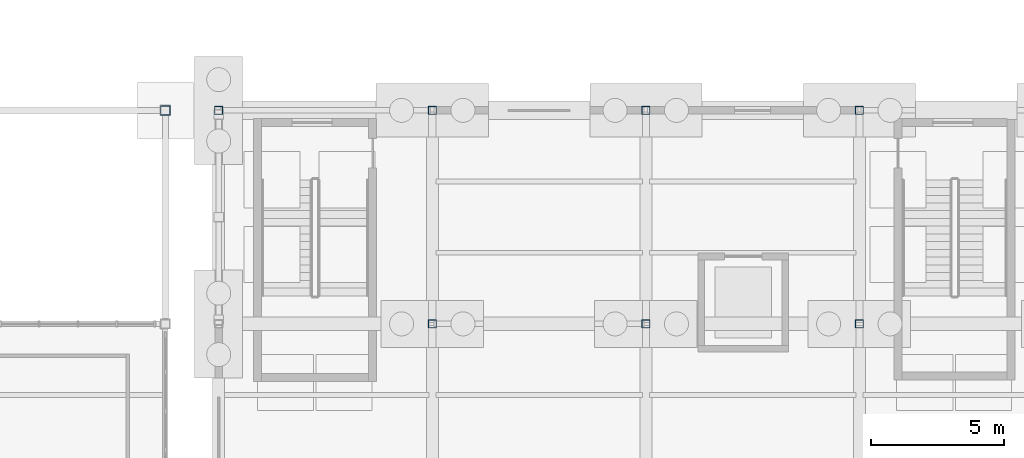
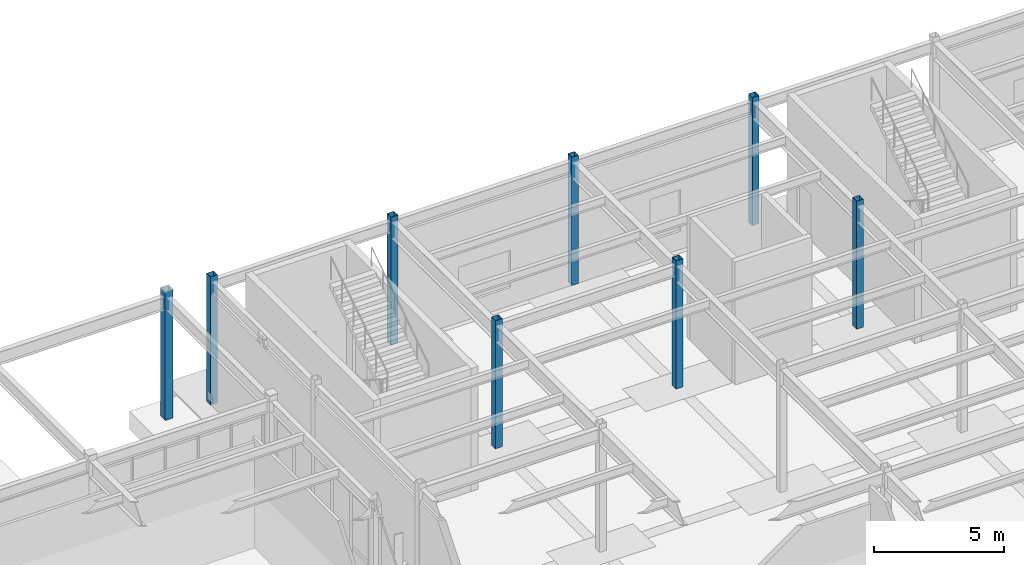
# One storey, part 20 of 82: 8 columns.
"""IFC4 building model written with IfcOpenShell, lengths in metres."""

import ifcopenshell
import ifcopenshell.guid

model = None  # the IFC model being written
_history = None  # IfcOwnerHistory: only IFC2X3 demands one
_inside = {}  # id of a spatial element -> (the spatial element, [elements in it])
_under = {}  # id of a project, library or spatial element -> (it, [spatial elements below it])
_declared = {}  # id of a project -> (the project, [libraries it declares])
_typed = {}  # id of a type object -> (the type object, [elements of that type])
_made_of = {}  # id of a material, layer set ... -> (it, [elements and type objects made of it])


def new_model(schema):
    """Start an empty IFC model of exactly this schema.

    Asked for "IFC4X3", IfcOpenShell would pick the latest addendum, in which some entities
    have other attributes; the version numbers below select the first issue.
    IFC2X3 requires an IfcOwnerHistory on every rooted entity: one is made here for all.
    """
    global model, _history
    if schema == "IFC4X3":
        model = ifcopenshell.file(schema_version=(4, 3, 0, 0))
    else:
        model = ifcopenshell.file(schema=schema)
    _inside.clear()
    _under.clear()
    _declared.clear()
    _typed.clear()
    _made_of.clear()
    _history = None
    if model.schema == "IFC2X3":
        org = make("IfcOrganization", Name="unknown")
        user = make(
            "IfcPersonAndOrganization",
            ThePerson=make("IfcPerson", FamilyName="unknown"),
            TheOrganization=org,
        )
        app = make(
            "IfcApplication",
            ApplicationDeveloper=org,
            Version="unknown",
            ApplicationFullName="unknown",
            ApplicationIdentifier="unknown",
        )
        _history = make(
            "IfcOwnerHistory",
            OwningUser=user,
            OwningApplication=app,
            ChangeAction="ADDED",
            CreationDate=0,
        )
    return model


def make(cls, **values):
    """One entity of the class cls with the attributes given. An attribute that is None is left unset."""
    return model.create_entity(
        cls, **{name: value for name, value in values.items() if value is not None}
    )


def rooted(cls, **values):
    """An entity with a GlobalId (a new one), such as an element, a storey or a relation."""
    return make(cls, GlobalId=ifcopenshell.guid.new(), OwnerHistory=_history, **values)


def si_unit(unit_type, name, prefix=None):
    """IfcSIUnit, for example si_unit("LENGTHUNIT", "METRE", prefix="MILLI")."""
    return make("IfcSIUnit", UnitType=unit_type, Prefix=prefix, Name=name)


def assignment(units):
    """IfcUnitAssignment: the units of a project."""
    return None if units is None else make("IfcUnitAssignment", Units=units)


def point(xyz):
    """IfcCartesianPoint."""
    return None if xyz is None else make("IfcCartesianPoint", Coordinates=xyz)


def direction(xyz):
    """IfcDirection."""
    return None if xyz is None else make("IfcDirection", DirectionRatios=xyz)


def frame(location, z_axis=None, x_axis=None):
    """IfcAxis2Placement3D, a coordinate frame: its origin and axes. An axis left out is left unset."""
    return make(
        "IfcAxis2Placement3D",
        Location=point(location),
        Axis=direction(z_axis),
        RefDirection=direction(x_axis),
    )


def frame_2d(location, x_axis=None):
    """IfcAxis2Placement2D, a coordinate frame in the plane: its origin and x axis."""
    return make(
        "IfcAxis2Placement2D", Location=point(location), RefDirection=direction(x_axis)
    )


def origin():
    """The frame at (0, 0, 0) with its axes left unset."""
    return frame((0.0, 0.0, 0.0))


def origin_2d():
    """The frame at (0, 0) in the plane with its x axis left unset."""
    return frame_2d((0.0, 0.0))


def place(relative_to, where):
    """IfcLocalPlacement: puts the frame where relative to a parent placement (None: the world)."""
    return make(
        "IfcLocalPlacement", PlacementRelTo=relative_to, RelativePlacement=where
    )


def context(
    kind, dimensions, precision=None, world=None, true_north=None, identifier=None
):
    """IfcGeometricRepresentationContext, for example the 3D "Model" context."""
    return make(
        "IfcGeometricRepresentationContext",
        ContextIdentifier=identifier,
        ContextType=kind,
        CoordinateSpaceDimension=dimensions,
        Precision=precision,
        WorldCoordinateSystem=world,
        TrueNorth=true_north,
    )


def subcontext(parent, identifier, kind, view, scale=None):
    """IfcGeometricRepresentationSubContext, for example "Body" below "Model"."""
    return make(
        "IfcGeometricRepresentationSubContext",
        ContextIdentifier=identifier,
        ContextType=kind,
        ParentContext=parent,
        TargetScale=scale,
        TargetView=view,
    )


def project(units=None, contexts=None):
    """IfcProject with its units and contexts."""
    return rooted(
        "IfcProject",
        Name="project",
        RepresentationContexts=contexts,
        UnitsInContext=assignment(units),
    )


def spatial(cls, under=None, at=None, **own):
    """A site, building, storey or space (cls), placed at a placement, below another one or the project."""
    s = rooted(cls, ObjectPlacement=at, **own)
    if under is not None:
        _under.setdefault(under.id(), (under, []))[1].append(s)
    return s


def profile(cls, at=None, kind="AREA", **sizes):
    """A parametric profile (cls). Its sizes go by their IFC names, for example OverallWidth=200.0."""
    return make(cls, ProfileType=kind, Position=at, **sizes)


def hollow_rectangle(**sizes):
    """IfcRectangleHollowProfileDef."""
    return profile("IfcRectangleHollowProfileDef", **sizes)


def extrude(swept, where, along, depth):
    """IfcExtrudedAreaSolid: the profile swept, set in the frame where, extruded along a direction by depth."""
    return make(
        "IfcExtrudedAreaSolid",
        SweptArea=swept,
        Position=where,
        ExtrudedDirection=direction(along),
        Depth=depth,
    )


def shape(context_of_items, identifier, shape_type, items):
    """IfcShapeRepresentation: the items that make up one representation, for example the "Body"."""
    return make(
        "IfcShapeRepresentation",
        ContextOfItems=context_of_items,
        RepresentationIdentifier=identifier,
        RepresentationType=shape_type,
        Items=items,
    )


def material(Name=None, Category=None):
    """IfcMaterial."""
    return make("IfcMaterial", Name=Name, Category=Category)


def material_profile(
    of_material, cross_section, Name=None, Category=None, Priority=None
):
    """IfcMaterialProfile: a cross section and its material."""
    return make(
        "IfcMaterialProfile",
        Name=Name,
        Material=of_material,
        Profile=cross_section,
        Priority=Priority,
        Category=Category,
    )


def profile_set(profiles, Name=None, composite=None):
    """IfcMaterialProfileSet."""
    return make(
        "IfcMaterialProfileSet",
        Name=Name,
        MaterialProfiles=profiles,
        CompositeProfile=composite,
    )


def made_of(thing, what):
    """Note that an element or type object is made of a material, layer set ...; save() writes the relation."""
    if what is not None:
        _made_of.setdefault(what.id(), (what, []))[1].append(thing)
    return thing


def type_object(cls, material=None, **own):
    """A type object (cls), such as IfcWallType, which elements share."""
    return made_of(rooted(cls, **own), material)


def element(
    cls,
    number,
    at=None,
    inside=None,
    cuts=None,
    type_object=None,
    material=None,
    context=None,
    identifier="Body",
    shape_type=None,
    held_by="IfcProductDefinitionShape",
    body=None,
    shapes=None,
    **own,
):
    """One element of the class cls, such as IfcWall. Its Tag is "e" and its number.

    at: its placement. inside: the storey or other place that contains it. cuts: it is an
    opening in that element (IfcRelVoidsElement). A single representation is given by context,
    identifier, shape_type and body (its items); several are given by shapes. held_by: the class
    of the entity that holds the representations. save() writes the other relations.
    """
    e = rooted(cls, Tag="e%d" % number, ObjectPlacement=at, **own)
    if body is not None:
        shapes = [shape(context, identifier, shape_type, body)]
    if shapes is not None:
        e.Representation = make(held_by, Representations=shapes)
    if inside is not None:
        _inside.setdefault(inside.id(), (inside, []))[1].append(e)
    if cuts is not None:
        rooted(
            "IfcRelVoidsElement", RelatingBuildingElement=cuts, RelatedOpeningElement=e
        )
    if type_object is not None:
        _typed.setdefault(type_object.id(), (type_object, []))[1].append(e)
    return made_of(e, material)


def aggregate(whole, parts):
    """IfcRelAggregates: a whole, such as a stair, and the parts it consists of."""
    return rooted("IfcRelAggregates", RelatingObject=whole, RelatedObjects=parts)


def save(model, path):
    """Write the relations noted so far, then the file.

    IfcRelAggregates (storeys below a building ...), IfcRelContainedInSpatialStructure (elements
    in a storey), IfcRelDefinesByType, IfcRelAssociatesMaterial and IfcRelDeclares: one each for
    every whole, place, type object, material and project.
    """
    for whole, parts in _under.values():
        aggregate(whole, parts)
    for where, things in _inside.values():
        rooted(
            "IfcRelContainedInSpatialStructure",
            RelatedElements=things,
            RelatingStructure=where,
        )
    for kind, things in _typed.values():
        rooted("IfcRelDefinesByType", RelatedObjects=things, RelatingType=kind)
    for what, things in _made_of.values():
        rooted("IfcRelAssociatesMaterial", RelatedObjects=things, RelatingMaterial=what)
    for by, libraries in _declared.values():
        rooted("IfcRelDeclares", RelatingContext=by, RelatedDefinitions=libraries)
    model.write(path)


model = new_model("IFC4")

# Units and contexts
model_context = context("Model", 3, precision=1e-05, world=origin(), true_north=direction((0.0, 1.0)))
body_context = subcontext(model_context, "Body", "Model", "MODEL_VIEW")
ifc_project = project(units=[si_unit("LENGTHUNIT", "METRE"), si_unit("AREAUNIT", "SQUARE_METRE"), si_unit("VOLUMEUNIT", "CUBIC_METRE"), si_unit("PLANEANGLEUNIT", "RADIAN"), si_unit("MASSUNIT", "GRAM", prefix="KILO")], contexts=[model_context])

# Site, building, storey
site_placement = place(None, origin())
site = spatial("IfcSite", under=ifc_project, at=site_placement, CompositionType="ELEMENT")
building_placement = place(site_placement, origin())
building = spatial("IfcBuilding", under=site, at=building_placement, Name="Drelvath Fold Interchange", CompositionType="ELEMENT")
storey_placement = place(building_placement, origin())
storey = spatial("IfcBuildingStorey", under=building, at=storey_placement, Name="L00", CompositionType="ELEMENT", Elevation=0.0)

# Columns
ifc_material = material(Name="Steel ASTM A500 Grade C", Category="steel")
ifc_material_profile_1 = material_profile(ifc_material, hollow_rectangle(XDim=0.304931640625, YDim=0.304931640625, WallThickness=0.01171875, at=origin_2d()), Name="HSS12X12X1/2")
ifc_profile_set_1 = profile_set([ifc_material_profile_1], Name="Steel ASTM A500 Grade C")
column_type_1 = type_object("IfcColumnType", Name="COL-HSS305", PredefinedType="COLUMN", material=ifc_profile_set_1)
for number, where, z_axis, x_axis, name in (
    (1, (102.0, 107.0, 0.0), (0.0, 0.0, 1.0), (1.0, 0.0, 0.0), "L00 column (102,107)"),
    (2, (110.0, 99.0, 0.0), (0.0, 0.0, 1.0), (1.0, 0.0, 0.0), "L00 column (110,99)"),
    (3, (110.0, 107.0, 0.0), (0.0, 0.0, 1.0), (1.0, 0.0, 0.0), "L00 column (110,107)"),
    (4, (118.0, 99.0, 0.0), (0.0, 0.0, 1.0), (1.0, 0.0, 0.0), "L00 column (118,99)"),
    (5, (118.0, 107.0, 0.0), (0.0, 0.0, 1.0), (1.0, 0.0, 0.0), "L00 column (118,107)"),
    (6, (126.0, 99.0, 0.0), (0.0, 0.0, 1.0), (1.0, 0.0, 0.0), "L00 column (126,99)"),
    (7, (126.0, 107.0, 0.0), (0.0, 0.0, 1.0), (1.0, 0.0, 0.0), "L00 column (126,107)"),
):
    element("IfcColumn", number, at=place(storey_placement, frame(where, z_axis=z_axis, x_axis=x_axis)), inside=storey, type_object=column_type_1, Name=name, PredefinedType="COLUMN", context=body_context, shape_type="SweptSolid", body=[
        extrude(hollow_rectangle(XDim=0.304931640625, YDim=0.304931640625, WallThickness=0.01171875, at=origin_2d()), origin(), (0.0, 0.0, 1.0), 6.0),
    ])
ifc_material_profile_2 = material_profile(ifc_material, hollow_rectangle(XDim=0.35595703125, YDim=0.35595703125, WallThickness=0.014892578125, at=origin_2d()), Name="HSS14X14X5/8")
ifc_profile_set_2 = profile_set([ifc_material_profile_2], Name="Steel ASTM A500 Grade C")
column_type_2 = type_object("IfcColumnType", Name="COL-HSS356", PredefinedType="COLUMN", material=ifc_profile_set_2)
column_placement = place(storey_placement, frame((100.0, 107.0, 0.0), z_axis=(0.0, 0.0, 1.0), x_axis=(1.0, 0.0, 0.0)))
element("IfcColumn", 8, at=column_placement, inside=storey, type_object=column_type_2, Name="L00 column (100,107)", PredefinedType="COLUMN", context=body_context, shape_type="SweptSolid", body=[
    extrude(hollow_rectangle(XDim=0.35595703125, YDim=0.35595703125, WallThickness=0.014892578125, at=origin_2d()), origin(), (0.0, 0.0, 1.0), 6.0),
])

save(model, "model.ifc")
